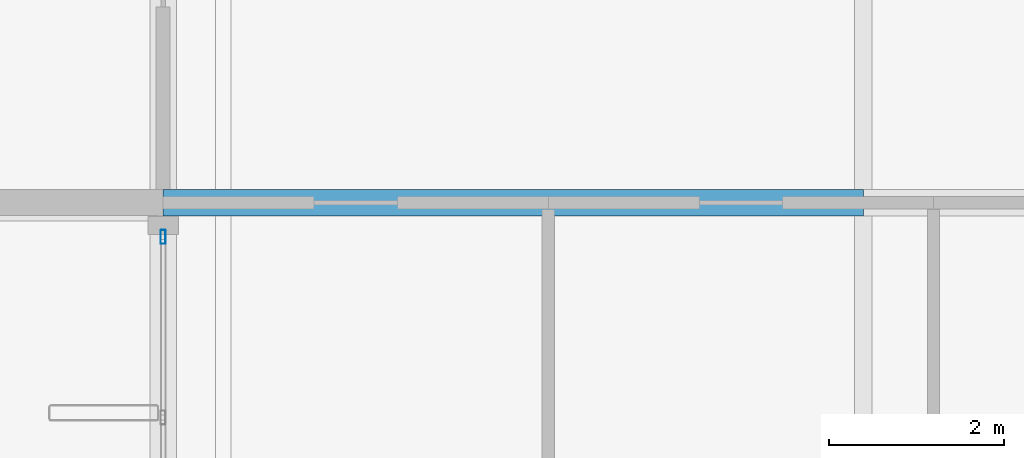
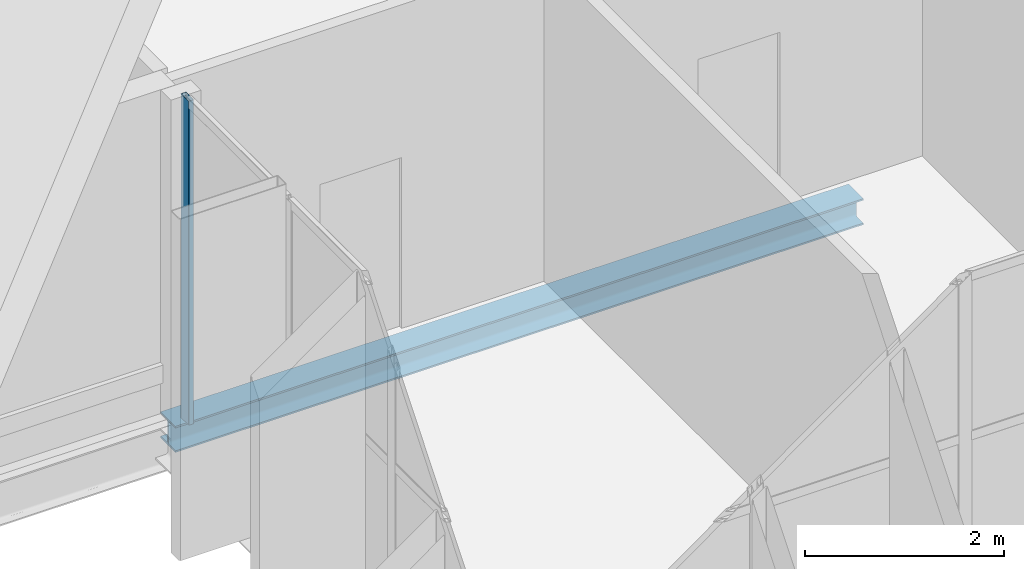
# One storey, part 20 of 93: 1 beam, 1 member, 1 element without a shape of its own.
"""IFC4 building model written with IfcOpenShell, lengths in metres."""

from ifc_helpers import new_model, si_unit, direction, frame, origin, origin_2d, place, context, subcontext, project, spatial, hollow_rectangle, i_section, extrude, material, layer, layer_set, material_profile, profile_set, type_object, element, aggregate, save


model = new_model("IFC4")

# Units and contexts
model_context = context("Model", 3, precision=1e-05, world=origin(), true_north=direction((0.0, 1.0)))
body_context = subcontext(model_context, "Body", "Model", "MODEL_VIEW")
ifc_project = project(units=[si_unit("LENGTHUNIT", "METRE"), si_unit("AREAUNIT", "SQUARE_METRE"), si_unit("VOLUMEUNIT", "CUBIC_METRE"), si_unit("PLANEANGLEUNIT", "RADIAN"), si_unit("MASSUNIT", "GRAM", prefix="KILO")], contexts=[model_context])

# Site, building, storey
site_placement = place(None, origin())
site = spatial("IfcSite", under=ifc_project, at=site_placement, CompositionType="ELEMENT")
building_placement = place(site_placement, origin())
building = spatial("IfcBuilding", under=site, at=building_placement, Name="Vekula Escarpment Museum", CompositionType="ELEMENT")
storey_placement = place(building_placement, frame((0.0, 0.0, 22.199951171875)))
storey = spatial("IfcBuildingStorey", under=building, at=storey_placement, Name="L05", CompositionType="ELEMENT", Elevation=22.199951171875)

# Beam
ifc_material_1 = material(Name="Steel S355", Category="steel")
ifc_material_profile_1 = material_profile(ifc_material_1, i_section(OverallWidth=0.300048828125, OverallDepth=0.320068359375, WebThickness=0.011474609375, FlangeThickness=0.0205078125, FilletRadius=0.027099609375, at=origin_2d()), Name="HEB 320")
ifc_profile_set_1 = profile_set([ifc_material_profile_1], Name="Steel S355")
beam_type = type_object("IfcBeamType", Name="BM-GIRD-HEB320", PredefinedType="BEAM", material=ifc_profile_set_1)
beam_placement = place(storey_placement, frame((70.0, 52.60009765625, -0.3798828125), z_axis=(1.0, 0.0, 0.0), x_axis=(0.0, 1.0, 0.0)))
element("IfcBeam", 1, at=beam_placement, inside=storey, type_object=beam_type, Name="Beam X L05 1966", PredefinedType="BEAM", context=body_context, shape_type="SweptSolid", body=[
    extrude(i_section(OverallWidth=0.300048828125, OverallDepth=0.320068359375, WebThickness=0.011474609375, FlangeThickness=0.0205078125, FilletRadius=0.027099609375, at=origin_2d()), origin(), (0.0, 0.0, 1.0), 8.0),
])

# Curtain wall, member
ifc_material_2 = material(Name="Aluminium thermally broken framing", Category="aluminium")
ifc_layer = layer(ifc_material_2, 0.159912109375)
ifc_layer_set = layer_set([ifc_layer], Name="Aluminium thermally broken framing")
curtain_wall_type = type_object("IfcCurtainWallType", Name="CW-SYS-02", PredefinedType="NOTDEFINED", material=ifc_layer_set)
curtain_wall_placement = place(storey_placement, origin())
curtain_wall = element("IfcCurtainWall", 2, at=curtain_wall_placement, inside=storey, type_object=curtain_wall_type, Name="Curtain Wall CW-L05-162", PredefinedType="NOTDEFINED")
ifc_material_3 = material(Name="Aluminium anodized mullion", Category="aluminium")
ifc_material_profile_2 = material_profile(ifc_material_3, hollow_rectangle(XDim=0.06005859375, YDim=0.159912109375, WallThickness=0.00390625, InnerFilletRadius=0.00390625, OuterFilletRadius=0.008056640625, at=origin_2d()), Name="ALU 160x60x4")
ifc_profile_set_2 = profile_set([ifc_material_profile_2], Name="Aluminium anodized mullion")
member_type = type_object("IfcMemberType", Name="CW-MUL-160", PredefinedType="MULLION", material=ifc_profile_set_2)
member_placement = place(storey_placement, frame((70.0, 52.2099609375, 0.0), z_axis=(0.0, 0.0, 1.0), x_axis=(1.0, 0.0, 0.0)))
member = element("IfcMember", 3, at=member_placement, type_object=member_type, Name="CW-02 mullion 1", PredefinedType="MULLION", context=body_context, shape_type="SweptSolid", body=[
    extrude(hollow_rectangle(XDim=0.06005859375, YDim=0.159912109375, WallThickness=0.00390625, InnerFilletRadius=0.00390625, OuterFilletRadius=0.008056640625, at=origin_2d()), origin(), (0.0, 0.0, 1.0), 3.97998046875),
])
aggregate(curtain_wall, [member])

save(model, "model.ifc")
